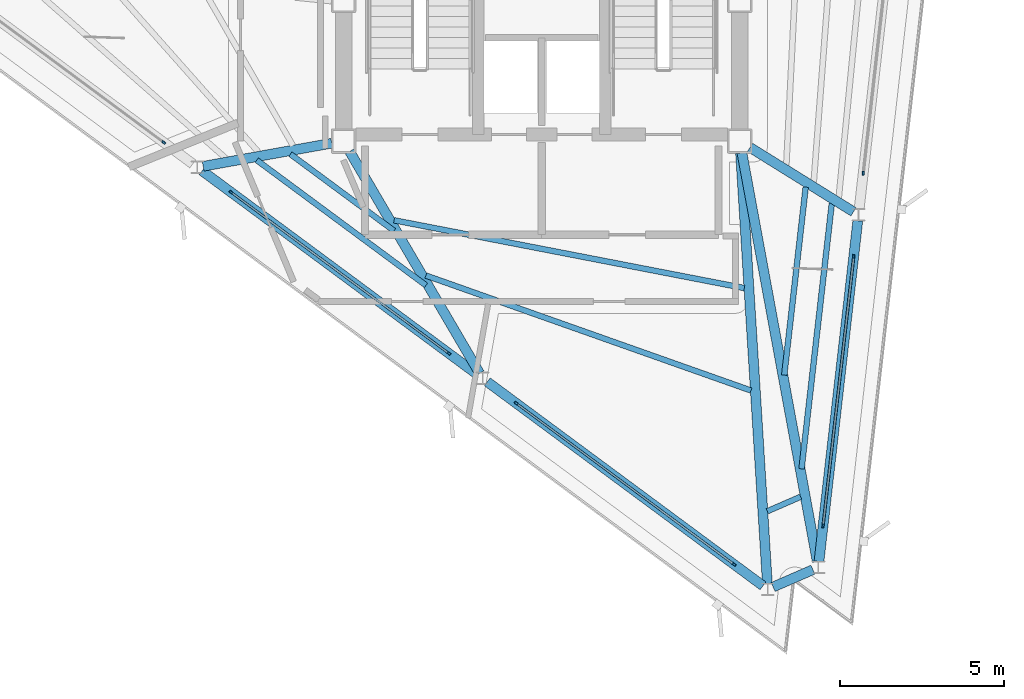
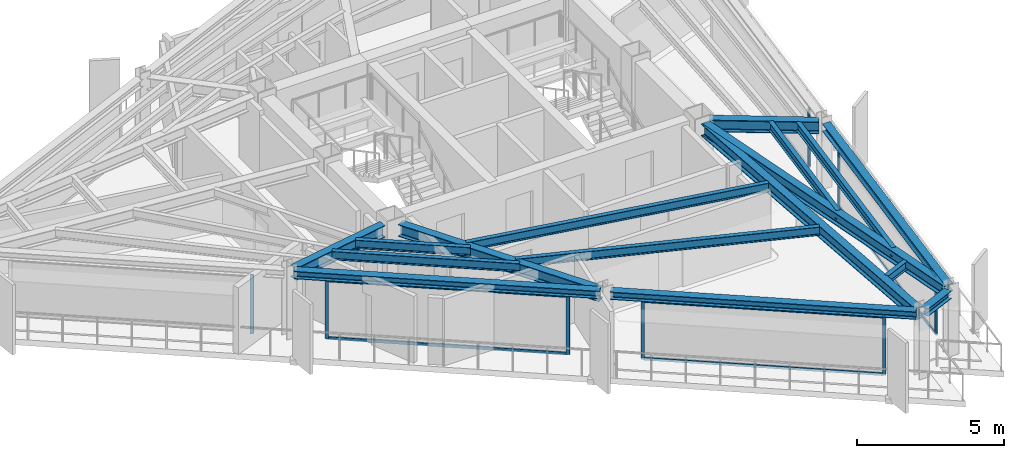
# One storey, part 2 of 10: 16 beams, 14 members, 5 elements without a shape of their own.
"""IFC4 building model written with IfcOpenShell, lengths in metres."""

from ifc_helpers import new_model, si_unit, direction, frame, origin, origin_2d, place, context, subcontext, project, spatial, rectangle, i_section, extrude, material, layer, layer_set, material_profile, profile_set, type_object, element, aggregate, save


model = new_model("IFC4")

# Units and contexts
model_context = context("Model", 3, precision=1e-05, world=origin(), true_north=direction((0.0, 1.0)))
body_context = subcontext(model_context, "Body", "Model", "MODEL_VIEW")
ifc_project = project(units=[si_unit("LENGTHUNIT", "METRE"), si_unit("AREAUNIT", "SQUARE_METRE"), si_unit("VOLUMEUNIT", "CUBIC_METRE"), si_unit("PLANEANGLEUNIT", "RADIAN"), si_unit("MASSUNIT", "GRAM", prefix="KILO")], contexts=[model_context])

# Site, building, storey
site_placement = place(None, origin())
site = spatial("IfcSite", under=ifc_project, at=site_placement, CompositionType="ELEMENT")
building_placement = place(site_placement, origin())
building = spatial("IfcBuilding", under=site, at=building_placement, Name="Rocaltana Carrier Exchange", CompositionType="ELEMENT")
storey_placement = place(building_placement, frame((0.0, 0.0, 217.919921875)))
storey = spatial("IfcBuildingStorey", under=building, at=storey_placement, Name="L69", CompositionType="ELEMENT", Elevation=217.919921875)

# Curtain wall, members
ifc_material_1 = material(Name="Aluminium 6063-T6", Category="aluminium")
ifc_layer = layer(ifc_material_1, 0.1201171875)
ifc_layer_set = layer_set([ifc_layer], Name="Aluminium 6063-T6")
curtain_wall_type = type_object("IfcCurtainWallType", Name="High-Altitude Thermal Curtain Wall CW-05", PredefinedType="NOTDEFINED", material=ifc_layer_set)
curtain_wall_1_placement = place(storey_placement, origin())
curtain_wall_1 = element("IfcCurtainWall", 1, at=curtain_wall_1_placement, inside=storey, type_object=curtain_wall_type, Name="L69 CW-05 Run CW-L69-F1S1", PredefinedType="NOTDEFINED")
ifc_material_2 = material(Name="Aluminium 6063-T6", Category="aluminium")
ifc_material_profile_1 = material_profile(ifc_material_2, rectangle(XDim=0.06005859375, YDim=0.1201171875, at=origin_2d()), Name="AL-60X120")
ifc_profile_set_1 = profile_set([ifc_material_profile_1], Name="Aluminium 6063-T6")
member_type_1 = type_object("IfcMemberType", Name="CW-05 Mullion AL-60X120", PredefinedType="MULLION", material=ifc_profile_set_1)
member_1_placement = place(storey_placement, frame((8.593505859375, -16.0458984375, 0.0), z_axis=(0.0, 0.0, 1.0), x_axis=(-0.993571216652, 0.113208822277, 0.0)))
member_1 = element("IfcMember", 2, at=member_1_placement, type_object=member_type_1, Name="CW-05 mullion 1", PredefinedType="MULLION", context=body_context, shape_type="SweptSolid", body=[
    extrude(rectangle(XDim=0.06005859375, YDim=0.1201171875, at=origin_2d()), origin(), (0.0, 0.0, 1.0), 2.447998046875),
])
member_2_placement = place(storey_placement, frame((9.530029296875, -7.825927734375, 0.0), z_axis=(0.0, 0.0, 1.0), x_axis=(-0.993571216652, 0.113208822277, 0.0)))
member_2 = element("IfcMember", 3, at=member_2_placement, type_object=member_type_1, Name="CW-05 mullion 2", PredefinedType="MULLION", context=body_context, shape_type="SweptSolid", body=[
    extrude(rectangle(XDim=0.06005859375, YDim=0.1201171875, at=origin_2d()), origin(), (0.0, 0.0, 1.0), 2.447998046875),
])

# Curtain wall, member
curtain_wall_2_placement = place(storey_placement, origin())
curtain_wall_2 = element("IfcCurtainWall", 4, at=curtain_wall_2_placement, inside=storey, type_object=curtain_wall_type, Name="L69 CW-05 Run CW-L69-F1S2", PredefinedType="NOTDEFINED")
member_3_placement = place(storey_placement, frame((9.81982421875, -5.2822265625, 0.0), z_axis=(0.0, 0.0, 1.0), x_axis=(-0.993571216652, 0.113208822277, 0.0)))
member_3 = element("IfcMember", 5, at=member_3_placement, type_object=member_type_1, Name="CW-05 mullion 1", PredefinedType="MULLION", context=body_context, shape_type="SweptSolid", body=[
    extrude(rectangle(XDim=0.06005859375, YDim=0.1201171875, at=origin_2d()), origin(), (0.0, 0.0, 1.0), 2.447998046875),
])
aggregate(curtain_wall_2, [member_3])

curtain_wall_3_placement = place(storey_placement, origin())
curtain_wall_3 = element("IfcCurtainWall", 6, at=curtain_wall_3_placement, inside=storey, type_object=curtain_wall_type, Name="L69 CW-05 Run CW-L69-F3S1", PredefinedType="NOTDEFINED")
member_4_placement = place(storey_placement, frame((-11.54248046875, -4.340576171875, 0.0), z_axis=(0.0, 0.0, 1.0), x_axis=(0.594826566974, 0.803854063386, 0.0)))
member_4 = element("IfcMember", 7, at=member_4_placement, type_object=member_type_1, Name="CW-05 mullion 2", PredefinedType="MULLION", context=body_context, shape_type="SweptSolid", body=[
    extrude(rectangle(XDim=0.06005859375, YDim=0.1201171875, at=origin_2d()), origin(), (0.0, 0.0, 1.0), 2.447998046875),
])
aggregate(curtain_wall_3, [member_4])

# Curtain wall, members
curtain_wall_4_placement = place(storey_placement, origin())
curtain_wall_4 = element("IfcCurtainWall", 8, at=curtain_wall_4_placement, inside=storey, type_object=curtain_wall_type, Name="L69 CW-05 Run CW-L69-F3S2", PredefinedType="NOTDEFINED")
member_5_placement = place(storey_placement, frame((-9.484619140625, -5.863037109375, 0.0), z_axis=(0.0, 0.0, 1.0), x_axis=(0.594820829179, 0.803858309141, 0.0)))
member_5 = element("IfcMember", 9, at=member_5_placement, type_object=member_type_1, Name="CW-05 mullion 1", PredefinedType="MULLION", context=body_context, shape_type="SweptSolid", body=[
    extrude(rectangle(XDim=0.06005859375, YDim=0.1201171875, at=origin_2d()), origin(), (0.0, 0.0, 1.0), 2.447998046875),
])
member_6_placement = place(storey_placement, frame((-2.833984375, -10.784423828125, 0.0), z_axis=(0.0, 0.0, 1.0), x_axis=(0.594820829179, 0.803858309141, 0.0)))
member_6 = element("IfcMember", 10, at=member_6_placement, type_object=member_type_1, Name="CW-05 mullion 2", PredefinedType="MULLION", context=body_context, shape_type="SweptSolid", body=[
    extrude(rectangle(XDim=0.06005859375, YDim=0.1201171875, at=origin_2d()), origin(), (0.0, 0.0, 1.0), 2.447998046875),
])

curtain_wall_5_placement = place(storey_placement, origin())
curtain_wall_5 = element("IfcCurtainWall", 11, at=curtain_wall_5_placement, inside=storey, type_object=curtain_wall_type, Name="L69 CW-05 Run CW-L69-F3S3", PredefinedType="NOTDEFINED")
member_7_placement = place(storey_placement, frame((-0.776123046875, -12.30712890625, 0.0), z_axis=(0.0, 0.0, 1.0), x_axis=(0.594826566974, 0.803854063386, 0.0)))
member_7 = element("IfcMember", 12, at=member_7_placement, type_object=member_type_1, Name="CW-05 mullion 1", PredefinedType="MULLION", context=body_context, shape_type="SweptSolid", body=[
    extrude(rectangle(XDim=0.06005859375, YDim=0.1201171875, at=origin_2d()), origin(), (0.0, 0.0, 1.0), 2.447998046875),
])
member_8_placement = place(storey_placement, frame((5.87451171875, -17.228271484375, 0.0), z_axis=(0.0, 0.0, 1.0), x_axis=(0.594826566974, 0.803854063386, 0.0)))
member_8 = element("IfcMember", 13, at=member_8_placement, type_object=member_type_1, Name="CW-05 mullion 2", PredefinedType="MULLION", context=body_context, shape_type="SweptSolid", body=[
    extrude(rectangle(XDim=0.06005859375, YDim=0.1201171875, at=origin_2d()), origin(), (0.0, 0.0, 1.0), 2.447998046875),
])

# Member
ifc_material_3 = material(Name="Aluminium 6063-T6", Category="aluminium")
ifc_material_profile_2 = material_profile(ifc_material_3, rectangle(XDim=0.06005859375, YDim=0.1201171875, at=origin_2d()), Name="AL-60X120")
ifc_profile_set_2 = profile_set([ifc_material_profile_2], Name="Aluminium 6063-T6")
member_type_2 = type_object("IfcMemberType", Name="CW-05 Transom AL-60X120", PredefinedType="USERDEFINED", material=ifc_profile_set_2)
member_9_placement = place(storey_placement, frame((8.596923828125, -16.01611328125, 0.030029296875), z_axis=(0.113194477683, 0.993572850989, 0.0), x_axis=(-0.993572850989, 0.113194477683, 0.0)))
member_9 = element("IfcMember", 14, at=member_9_placement, type_object=member_type_2, Name="CW-05 transom 1.1", ObjectType="TRANSOM", PredefinedType="USERDEFINED", context=body_context, shape_type="SweptSolid", body=[
    extrude(rectangle(XDim=0.06005859375, YDim=0.1201171875, at=origin_2d()), origin(), (0.0, 0.0, 1.0), 8.213134765625),
])

member_10_placement = place(storey_placement, frame((8.596923828125, -16.01611328125, 2.41796875), z_axis=(0.113194477683, 0.993572850989, 0.0), x_axis=(-0.993572850989, 0.113194477683, 0.0)))
member_10 = element("IfcMember", 15, at=member_10_placement, type_object=member_type_2, Name="CW-05 transom 1.2", ObjectType="TRANSOM", PredefinedType="USERDEFINED", context=body_context, shape_type="SweptSolid", body=[
    extrude(rectangle(XDim=0.06005859375, YDim=0.1201171875, at=origin_2d()), origin(), (0.0, 0.0, 1.0), 8.213134765625),
])

aggregate(curtain_wall_1, [member_1, member_2, member_9, member_10])

member_11_placement = place(storey_placement, frame((-9.46044921875, -5.881103515625, 0.030029296875), z_axis=(0.80386407087, -0.59481304253, 0.0), x_axis=(0.59481304253, 0.80386407087, 0.0)))
member_11 = element("IfcMember", 16, at=member_11_placement, type_object=member_type_2, Name="CW-05 transom 1.1", ObjectType="TRANSOM", PredefinedType="USERDEFINED", context=body_context, shape_type="SweptSolid", body=[
    extrude(rectangle(XDim=0.06005859375, YDim=0.1201171875, at=origin_2d()), origin(), (0.0, 0.0, 1.0), 8.213623046875),
])

member_12_placement = place(storey_placement, frame((-9.46044921875, -5.881103515625, 2.41796875), z_axis=(0.80386407087, -0.59481304253, 0.0), x_axis=(0.59481304253, 0.80386407087, 0.0)))
member_12 = element("IfcMember", 17, at=member_12_placement, type_object=member_type_2, Name="CW-05 transom 1.2", ObjectType="TRANSOM", PredefinedType="USERDEFINED", context=body_context, shape_type="SweptSolid", body=[
    extrude(rectangle(XDim=0.06005859375, YDim=0.1201171875, at=origin_2d()), origin(), (0.0, 0.0, 1.0), 8.213623046875),
])

aggregate(curtain_wall_4, [member_5, member_6, member_11, member_12])

member_13_placement = place(storey_placement, frame((-0.751953125, -12.324951171875, 0.030029296875), z_axis=(0.803853553959, -0.594827255418, 0.0), x_axis=(0.594827255418, 0.803853553959, 0.0)))
member_13 = element("IfcMember", 18, at=member_13_placement, type_object=member_type_2, Name="CW-05 transom 1.1", ObjectType="TRANSOM", PredefinedType="USERDEFINED", context=body_context, shape_type="SweptSolid", body=[
    extrude(rectangle(XDim=0.06005859375, YDim=0.1201171875, at=origin_2d()), origin(), (0.0, 0.0, 1.0), 8.21337890625),
])

member_14_placement = place(storey_placement, frame((-0.751953125, -12.324951171875, 2.41796875), z_axis=(0.803853553959, -0.594827255418, 0.0), x_axis=(0.594827255418, 0.803853553959, 0.0)))
member_14 = element("IfcMember", 19, at=member_14_placement, type_object=member_type_2, Name="CW-05 transom 1.2", ObjectType="TRANSOM", PredefinedType="USERDEFINED", context=body_context, shape_type="SweptSolid", body=[
    extrude(rectangle(XDim=0.06005859375, YDim=0.1201171875, at=origin_2d()), origin(), (0.0, 0.0, 1.0), 8.21337890625),
])

aggregate(curtain_wall_5, [member_7, member_8, member_13, member_14])

# Beams
ifc_material_4 = material(Name="Steel S355", Category="steel")
ifc_material_profile_3 = material_profile(ifc_material_4, i_section(OverallWidth=0.172119140625, OverallDepth=0.35791015625, WebThickness=0.0078125, FlangeThickness=0.01318359375, FilletRadius=0.011962890625, at=origin_2d()), Name="W14X38")
ifc_profile_set_3 = profile_set([ifc_material_profile_3], Name="Steel S355")
beam_type_1 = type_object("IfcBeamType", Name="Floor Joist W14X38", PredefinedType="JOIST", material=ifc_profile_set_3)
beam_1_placement = place(storey_placement, frame((7.409423828125, -11.44677734375, 2.619140625), z_axis=(0.113227249781, 0.993569116824, 0.0), x_axis=(-0.993569116824, 0.113227249781, 0.0)))
element("IfcBeam", 20, at=beam_1_placement, inside=storey, type_object=beam_type_1, Name="FJ-L69-01-2", PredefinedType="JOIST", context=body_context, shape_type="SweptSolid", body=[
    extrude(i_section(OverallWidth=0.172119140625, OverallDepth=0.35791015625, WebThickness=0.0078125, FlangeThickness=0.01318359375, FilletRadius=0.011962890625, at=origin_2d()), origin(), (0.0, 0.0, 1.0), 5.778564453125),
])
beam_2_placement = place(storey_placement, frame((7.937255859375, -14.310791015625, 2.619140625), z_axis=(0.113185523322, 0.993573871089, 0.0), x_axis=(-0.993573871089, 0.113185523322, 0.0)))
element("IfcBeam", 21, at=beam_2_placement, inside=storey, type_object=beam_type_1, Name="FJ-L69-01-3", PredefinedType="JOIST", context=body_context, shape_type="SweptSolid", body=[
    extrude(i_section(OverallWidth=0.172119140625, OverallDepth=0.35791015625, WebThickness=0.0078125, FlangeThickness=0.01318359375, FilletRadius=0.011962890625, at=origin_2d()), origin(), (0.0, 0.0, 1.0), 8.162109375),
])
beam_3_placement = place(storey_placement, frame((-7.675048828125, -4.698486328125, 2.619140625), z_axis=(0.803860282808, -0.594818161899, 0.0), x_axis=(0.594818161899, 0.803860282808, 0.0)))
element("IfcBeam", 22, at=beam_3_placement, inside=storey, type_object=beam_type_1, Name="FJ-L69-10-1", PredefinedType="JOIST", context=body_context, shape_type="SweptSolid", body=[
    extrude(i_section(OverallWidth=0.172119140625, OverallDepth=0.35791015625, WebThickness=0.0078125, FlangeThickness=0.01318359375, FilletRadius=0.011962890625, at=origin_2d()), origin(), (0.0, 0.0, 1.0), 3.93701171875),
])
beam_4_placement = place(storey_placement, frame((-8.70166015625, -4.8828125, 2.619140625), z_axis=(0.803852431251, -0.59482877265, 0.0), x_axis=(0.59482877265, 0.803852431251, 0.0)))
element("IfcBeam", 23, at=beam_4_placement, inside=storey, type_object=beam_type_1, Name="FJ-L69-10-2", PredefinedType="JOIST", context=body_context, shape_type="SweptSolid", body=[
    extrude(i_section(OverallWidth=0.172119140625, OverallDepth=0.35791015625, WebThickness=0.0078125, FlangeThickness=0.01318359375, FilletRadius=0.011962890625, at=origin_2d()), origin(), (0.0, 0.0, 1.0), 6.4287109375),
])
beam_5_placement = place(storey_placement, frame((-4.5078125, -6.718505859375, 2.619140625), z_axis=(0.981759350147, -0.190127794914, 0.0), x_axis=(0.190127794914, 0.981759350147, 0.0)))
element("IfcBeam", 24, at=beam_5_placement, inside=storey, type_object=beam_type_1, Name="FJ-L69-11-1", PredefinedType="JOIST", context=body_context, shape_type="SweptSolid", body=[
    extrude(i_section(OverallWidth=0.172119140625, OverallDepth=0.35791015625, WebThickness=0.0078125, FlangeThickness=0.01318359375, FilletRadius=0.011962890625, at=origin_2d()), origin(), (0.0, 0.0, 1.0), 10.896728515625),
])
beam_6_placement = place(storey_placement, frame((-3.537109375, -8.405517578125, 2.619140625), z_axis=(0.942743579006, -0.333518431639, 0.0), x_axis=(0.333518431639, 0.942743579006, 0.0)))
element("IfcBeam", 25, at=beam_6_placement, inside=storey, type_object=beam_type_1, Name="FJ-L69-11-2", PredefinedType="JOIST", context=body_context, shape_type="SweptSolid", body=[
    extrude(i_section(OverallWidth=0.172119140625, OverallDepth=0.35791015625, WebThickness=0.0078125, FlangeThickness=0.01318359375, FilletRadius=0.011962890625, at=origin_2d()), origin(), (0.0, 0.0, 1.0), 10.5322265625),
])
beam_7_placement = place(storey_placement, frame((6.890380859375, -15.60498046875, 2.619140625), z_axis=(0.917028106869, 0.398822581122, 0.0), x_axis=(-0.398822581122, 0.917028106869, 0.0)))
element("IfcBeam", 26, at=beam_7_placement, inside=storey, type_object=beam_type_1, Name="FJ-L69-12-3", PredefinedType="JOIST", context=body_context, shape_type="SweptSolid", body=[
    extrude(i_section(OverallWidth=0.172119140625, OverallDepth=0.35791015625, WebThickness=0.0078125, FlangeThickness=0.01318359375, FilletRadius=0.011962890625, at=origin_2d()), origin(), (0.0, 0.0, 1.0), 1.1103515625),
])
ifc_material_5 = material(Name="Steel S355", Category="steel")
ifc_material_profile_4 = material_profile(ifc_material_5, i_section(OverallWidth=0.300048828125, OverallDepth=0.320068359375, WebThickness=0.011474609375, FlangeThickness=0.0205078125, FilletRadius=0.027099609375, at=origin_2d()), Name="HEB320")
ifc_profile_set_4 = profile_set([ifc_material_profile_4], Name="Steel S355")
beam_type_2 = type_object("IfcBeamType", Name="Spandrel Edge Beam HEB320", PredefinedType="SPANDREL", material=ifc_profile_set_4)
for number, where, z_axis, x_axis, name in (
    (27, (8.468994140625, -17.139404296875, 2.63818359375), (0.113209353353, 0.99357115614, 0.0), (-0.99357115614, 0.113209353353, 0.0), "SP-L69-01"),
    (28, (-10.369140625, -5.20849609375, 2.63818359375), (0.803854381492, -0.594826137082, 0.0), (0.594826137082, 0.803854381492, 0.0), "SP-L69-10"),
):
    element("IfcBeam", number, at=place(storey_placement, frame(where, z_axis=z_axis, x_axis=x_axis)), inside=storey, type_object=beam_type_2, Name=name, PredefinedType="SPANDREL", context=body_context, shape_type="SweptSolid", body=[
        extrude(i_section(OverallWidth=0.300048828125, OverallDepth=0.320068359375, WebThickness=0.011474609375, FlangeThickness=0.0205078125, FilletRadius=0.027099609375, at=origin_2d()), origin(), (0.0, 0.0, 1.0), 10.474365234375),
    ])
beam_8_placement = place(storey_placement, frame((-1.66064453125, -11.652587890625, 2.63818359375), z_axis=(0.803857279617, -0.594822220505, 0.0), x_axis=(0.594822220505, 0.803857279617, 0.0)))
element("IfcBeam", 29, at=beam_8_placement, inside=storey, type_object=beam_type_2, Name="SP-L69-11", PredefinedType="SPANDREL", context=body_context, shape_type="SweptSolid", body=[
    extrude(i_section(OverallWidth=0.300048828125, OverallDepth=0.320068359375, WebThickness=0.011474609375, FlangeThickness=0.0205078125, FilletRadius=0.027099609375, at=origin_2d()), origin(), (0.0, 0.0, 1.0), 10.47412109375),
])
beam_9_placement = place(storey_placement, frame((7.068115234375, -17.91796875, 2.63818359375), z_axis=(0.917084694232, 0.398692442372, 0.0), x_axis=(-0.398692442372, 0.917084694232, 0.0)))
element("IfcBeam", 30, at=beam_9_placement, inside=storey, type_object=beam_type_2, Name="SP-L69-12", PredefinedType="SPANDREL", context=body_context, shape_type="SweptSolid", body=[
    extrude(i_section(OverallWidth=0.300048828125, OverallDepth=0.320068359375, WebThickness=0.011474609375, FlangeThickness=0.0205078125, FilletRadius=0.027099609375, at=origin_2d()), origin(), (0.0, 0.0, 1.0), 1.32568359375),
])
ifc_material_6 = material(Name="Steel S355", Category="steel")
ifc_material_profile_5 = material_profile(ifc_material_6, i_section(OverallWidth=0.300048828125, OverallDepth=0.5, WebThickness=0.014404296875, FlangeThickness=0.028076171875, FilletRadius=0.027099609375, at=origin_2d()), Name="HEB500")
ifc_profile_set_5 = profile_set([ifc_material_profile_5], Name="Steel S355")
beam_type_3 = type_object("IfcBeamType", Name="Upper Radial Girder HEB500", PredefinedType="BEAM", material=ifc_profile_set_5)
beam_10_placement = place(storey_placement, frame((6.116455078125, -4.660888671875, 2.548095703125), z_axis=(0.181206008734, -0.983445159833, 0.0), x_axis=(0.983445159833, 0.181206008734, 0.0)))
element("IfcBeam", 31, at=beam_10_placement, inside=storey, type_object=beam_type_3, Name="RG-L69-01", PredefinedType="BEAM", context=body_context, shape_type="SweptSolid", body=[
    extrude(i_section(OverallWidth=0.300048828125, OverallDepth=0.5, WebThickness=0.014404296875, FlangeThickness=0.028076171875, FilletRadius=0.027099609375, at=origin_2d()), origin(), (0.0, 0.0, 1.0), 12.6904296875),
])
beam_11_placement = place(storey_placement, frame((6.36181640625, -4.493896484375, 2.548095703125), z_axis=(0.849230475693, -0.52802234721, 0.0), x_axis=(0.52802234721, 0.849230475693, 0.0)))
element("IfcBeam", 32, at=beam_11_placement, inside=storey, type_object=beam_type_3, Name="RG-L69-02", PredefinedType="BEAM", context=body_context, shape_type="SweptSolid", body=[
    extrude(i_section(OverallWidth=0.300048828125, OverallDepth=0.5, WebThickness=0.014404296875, FlangeThickness=0.028076171875, FilletRadius=0.027099609375, at=origin_2d()), origin(), (0.0, 0.0, 1.0), 3.72216796875),
])
beam_12_placement = place(storey_placement, frame((-6.4111328125, -4.364990234375, 2.548095703125), z_axis=(-0.984251551431, -0.176773537347, 0.0), x_axis=(0.176773537347, -0.984251551431, 0.0)))
element("IfcBeam", 33, at=beam_12_placement, inside=storey, type_object=beam_type_3, Name="RG-L69-10", PredefinedType="BEAM", context=body_context, shape_type="SweptSolid", body=[
    extrude(i_section(OverallWidth=0.300048828125, OverallDepth=0.5, WebThickness=0.014404296875, FlangeThickness=0.028076171875, FilletRadius=0.027099609375, at=origin_2d()), origin(), (0.0, 0.0, 1.0), 3.988525390625),
])
beam_13_placement = place(storey_placement, frame((-5.864501953125, -4.61669921875, 2.548095703125), z_axis=(0.505500021145, -0.86282659244, 0.0), x_axis=(0.86282659244, 0.505500021145, 0.0)))
element("IfcBeam", 34, at=beam_13_placement, inside=storey, type_object=beam_type_3, Name="RG-L69-11", PredefinedType="BEAM", context=body_context, shape_type="SweptSolid", body=[
    extrude(i_section(OverallWidth=0.300048828125, OverallDepth=0.5, WebThickness=0.014404296875, FlangeThickness=0.028076171875, FilletRadius=0.027099609375, at=origin_2d()), origin(), (0.0, 0.0, 1.0), 7.85107421875),
])
beam_14_placement = place(storey_placement, frame((6.07275390625, -4.666259765625, 2.548095703125), z_axis=(0.062214398445, -0.998062807957, 0.0), x_axis=(0.998062807957, 0.062214398445, 0.0)))
element("IfcBeam", 35, at=beam_14_placement, inside=storey, type_object=beam_type_3, Name="RG-L69-12", PredefinedType="BEAM", context=body_context, shape_type="SweptSolid", body=[
    extrude(i_section(OverallWidth=0.300048828125, OverallDepth=0.5, WebThickness=0.014404296875, FlangeThickness=0.028076171875, FilletRadius=0.027099609375, at=origin_2d()), origin(), (0.0, 0.0, 1.0), 13.16943359375),
])

save(model, "model.ifc")
